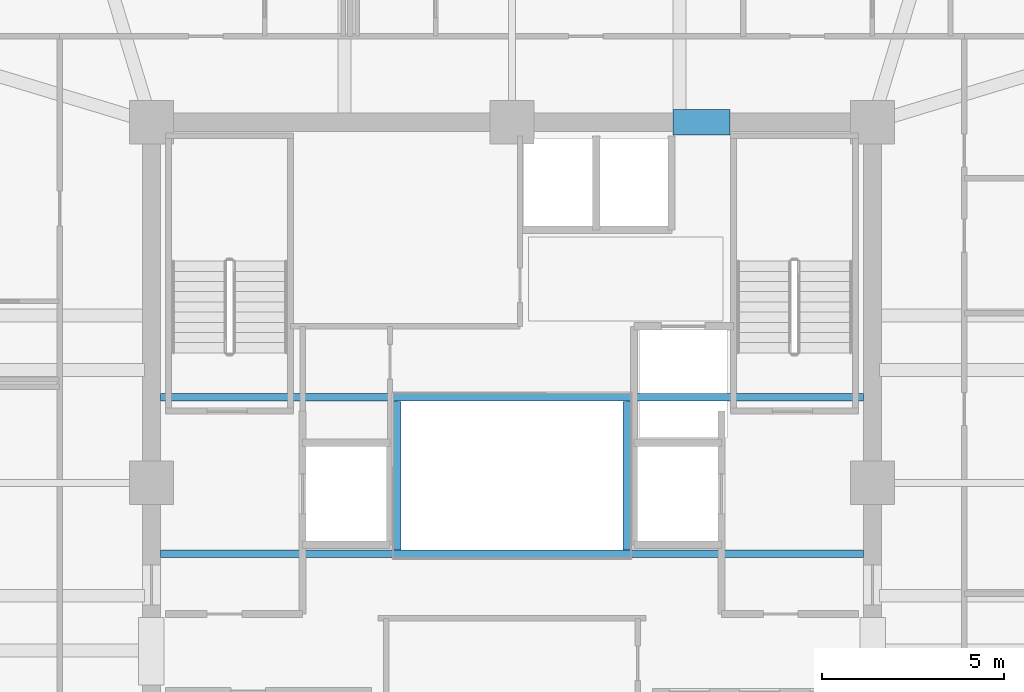
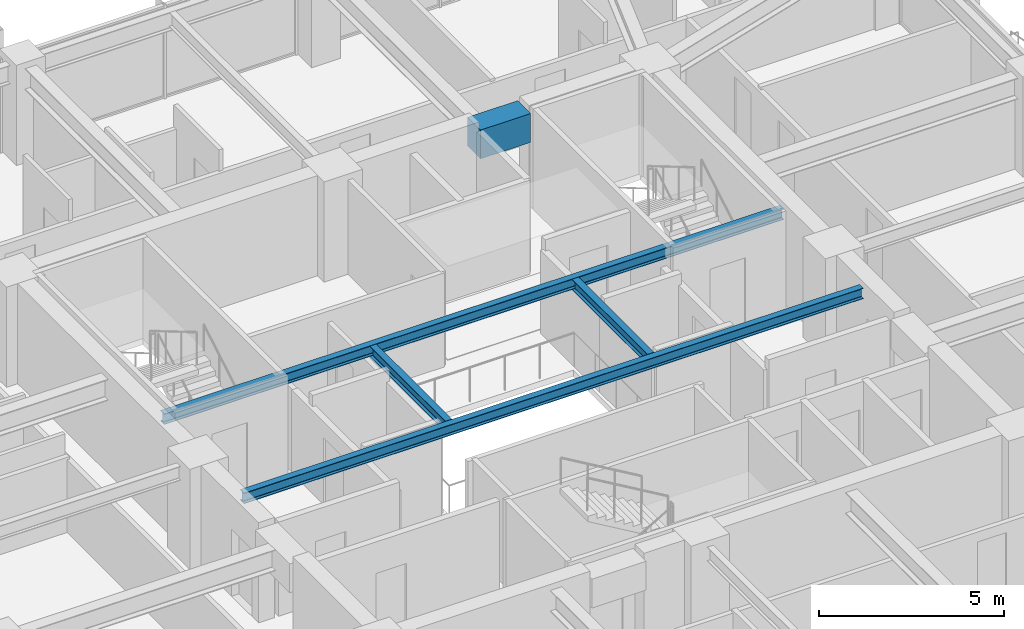
# One storey, part 13 of 35: 5 beams.
"""IFC4 building model written with IfcOpenShell, lengths in metres."""

import ifcopenshell
import ifcopenshell.guid

model = None  # the IFC model being written
_history = None  # IfcOwnerHistory: only IFC2X3 demands one
_inside = {}  # id of a spatial element -> (the spatial element, [elements in it])
_under = {}  # id of a project, library or spatial element -> (it, [spatial elements below it])
_declared = {}  # id of a project -> (the project, [libraries it declares])
_typed = {}  # id of a type object -> (the type object, [elements of that type])
_made_of = {}  # id of a material, layer set ... -> (it, [elements and type objects made of it])


def new_model(schema):
    """Start an empty IFC model of exactly this schema.

    Asked for "IFC4X3", IfcOpenShell would pick the latest addendum, in which some entities
    have other attributes; the version numbers below select the first issue.
    IFC2X3 requires an IfcOwnerHistory on every rooted entity: one is made here for all.
    """
    global model, _history
    if schema == "IFC4X3":
        model = ifcopenshell.file(schema_version=(4, 3, 0, 0))
    else:
        model = ifcopenshell.file(schema=schema)
    _inside.clear()
    _under.clear()
    _declared.clear()
    _typed.clear()
    _made_of.clear()
    _history = None
    if model.schema == "IFC2X3":
        org = make("IfcOrganization", Name="unknown")
        user = make(
            "IfcPersonAndOrganization",
            ThePerson=make("IfcPerson", FamilyName="unknown"),
            TheOrganization=org,
        )
        app = make(
            "IfcApplication",
            ApplicationDeveloper=org,
            Version="unknown",
            ApplicationFullName="unknown",
            ApplicationIdentifier="unknown",
        )
        _history = make(
            "IfcOwnerHistory",
            OwningUser=user,
            OwningApplication=app,
            ChangeAction="ADDED",
            CreationDate=0,
        )
    return model


def make(cls, **values):
    """One entity of the class cls with the attributes given. An attribute that is None is left unset."""
    return model.create_entity(
        cls, **{name: value for name, value in values.items() if value is not None}
    )


def rooted(cls, **values):
    """An entity with a GlobalId (a new one), such as an element, a storey or a relation."""
    return make(cls, GlobalId=ifcopenshell.guid.new(), OwnerHistory=_history, **values)


def si_unit(unit_type, name, prefix=None):
    """IfcSIUnit, for example si_unit("LENGTHUNIT", "METRE", prefix="MILLI")."""
    return make("IfcSIUnit", UnitType=unit_type, Prefix=prefix, Name=name)


def assignment(units):
    """IfcUnitAssignment: the units of a project."""
    return None if units is None else make("IfcUnitAssignment", Units=units)


def point(xyz):
    """IfcCartesianPoint."""
    return None if xyz is None else make("IfcCartesianPoint", Coordinates=xyz)


def direction(xyz):
    """IfcDirection."""
    return None if xyz is None else make("IfcDirection", DirectionRatios=xyz)


def frame(location, z_axis=None, x_axis=None):
    """IfcAxis2Placement3D, a coordinate frame: its origin and axes. An axis left out is left unset."""
    return make(
        "IfcAxis2Placement3D",
        Location=point(location),
        Axis=direction(z_axis),
        RefDirection=direction(x_axis),
    )


def frame_2d(location, x_axis=None):
    """IfcAxis2Placement2D, a coordinate frame in the plane: its origin and x axis."""
    return make(
        "IfcAxis2Placement2D", Location=point(location), RefDirection=direction(x_axis)
    )


def origin():
    """The frame at (0, 0, 0) with its axes left unset."""
    return frame((0.0, 0.0, 0.0))


def origin_2d():
    """The frame at (0, 0) in the plane with its x axis left unset."""
    return frame_2d((0.0, 0.0))


def place(relative_to, where):
    """IfcLocalPlacement: puts the frame where relative to a parent placement (None: the world)."""
    return make(
        "IfcLocalPlacement", PlacementRelTo=relative_to, RelativePlacement=where
    )


def context(
    kind, dimensions, precision=None, world=None, true_north=None, identifier=None
):
    """IfcGeometricRepresentationContext, for example the 3D "Model" context."""
    return make(
        "IfcGeometricRepresentationContext",
        ContextIdentifier=identifier,
        ContextType=kind,
        CoordinateSpaceDimension=dimensions,
        Precision=precision,
        WorldCoordinateSystem=world,
        TrueNorth=true_north,
    )


def subcontext(parent, identifier, kind, view, scale=None):
    """IfcGeometricRepresentationSubContext, for example "Body" below "Model"."""
    return make(
        "IfcGeometricRepresentationSubContext",
        ContextIdentifier=identifier,
        ContextType=kind,
        ParentContext=parent,
        TargetScale=scale,
        TargetView=view,
    )


def project(units=None, contexts=None):
    """IfcProject with its units and contexts."""
    return rooted(
        "IfcProject",
        Name="project",
        RepresentationContexts=contexts,
        UnitsInContext=assignment(units),
    )


def spatial(cls, under=None, at=None, **own):
    """A site, building, storey or space (cls), placed at a placement, below another one or the project."""
    s = rooted(cls, ObjectPlacement=at, **own)
    if under is not None:
        _under.setdefault(under.id(), (under, []))[1].append(s)
    return s


def profile(cls, at=None, kind="AREA", **sizes):
    """A parametric profile (cls). Its sizes go by their IFC names, for example OverallWidth=200.0."""
    return make(cls, ProfileType=kind, Position=at, **sizes)


def rectangle(**sizes):
    """IfcRectangleProfileDef."""
    return profile("IfcRectangleProfileDef", **sizes)


def i_section(**sizes):
    """IfcIShapeProfileDef."""
    return profile("IfcIShapeProfileDef", **sizes)


def extrude(swept, where, along, depth):
    """IfcExtrudedAreaSolid: the profile swept, set in the frame where, extruded along a direction by depth."""
    return make(
        "IfcExtrudedAreaSolid",
        SweptArea=swept,
        Position=where,
        ExtrudedDirection=direction(along),
        Depth=depth,
    )


def shape(context_of_items, identifier, shape_type, items):
    """IfcShapeRepresentation: the items that make up one representation, for example the "Body"."""
    return make(
        "IfcShapeRepresentation",
        ContextOfItems=context_of_items,
        RepresentationIdentifier=identifier,
        RepresentationType=shape_type,
        Items=items,
    )


def material(Name=None, Category=None):
    """IfcMaterial."""
    return make("IfcMaterial", Name=Name, Category=Category)


def material_profile(
    of_material, cross_section, Name=None, Category=None, Priority=None
):
    """IfcMaterialProfile: a cross section and its material."""
    return make(
        "IfcMaterialProfile",
        Name=Name,
        Material=of_material,
        Profile=cross_section,
        Priority=Priority,
        Category=Category,
    )


def profile_set(profiles, Name=None, composite=None):
    """IfcMaterialProfileSet."""
    return make(
        "IfcMaterialProfileSet",
        Name=Name,
        MaterialProfiles=profiles,
        CompositeProfile=composite,
    )


def made_of(thing, what):
    """Note that an element or type object is made of a material, layer set ...; save() writes the relation."""
    if what is not None:
        _made_of.setdefault(what.id(), (what, []))[1].append(thing)
    return thing


def type_object(cls, material=None, **own):
    """A type object (cls), such as IfcWallType, which elements share."""
    return made_of(rooted(cls, **own), material)


def element(
    cls,
    number,
    at=None,
    inside=None,
    cuts=None,
    type_object=None,
    material=None,
    context=None,
    identifier="Body",
    shape_type=None,
    held_by="IfcProductDefinitionShape",
    body=None,
    shapes=None,
    **own,
):
    """One element of the class cls, such as IfcWall. Its Tag is "e" and its number.

    at: its placement. inside: the storey or other place that contains it. cuts: it is an
    opening in that element (IfcRelVoidsElement). A single representation is given by context,
    identifier, shape_type and body (its items); several are given by shapes. held_by: the class
    of the entity that holds the representations. save() writes the other relations.
    """
    e = rooted(cls, Tag="e%d" % number, ObjectPlacement=at, **own)
    if body is not None:
        shapes = [shape(context, identifier, shape_type, body)]
    if shapes is not None:
        e.Representation = make(held_by, Representations=shapes)
    if inside is not None:
        _inside.setdefault(inside.id(), (inside, []))[1].append(e)
    if cuts is not None:
        rooted(
            "IfcRelVoidsElement", RelatingBuildingElement=cuts, RelatedOpeningElement=e
        )
    if type_object is not None:
        _typed.setdefault(type_object.id(), (type_object, []))[1].append(e)
    return made_of(e, material)


def aggregate(whole, parts):
    """IfcRelAggregates: a whole, such as a stair, and the parts it consists of."""
    return rooted("IfcRelAggregates", RelatingObject=whole, RelatedObjects=parts)


def save(model, path):
    """Write the relations noted so far, then the file.

    IfcRelAggregates (storeys below a building ...), IfcRelContainedInSpatialStructure (elements
    in a storey), IfcRelDefinesByType, IfcRelAssociatesMaterial and IfcRelDeclares: one each for
    every whole, place, type object, material and project.
    """
    for whole, parts in _under.values():
        aggregate(whole, parts)
    for where, things in _inside.values():
        rooted(
            "IfcRelContainedInSpatialStructure",
            RelatedElements=things,
            RelatingStructure=where,
        )
    for kind, things in _typed.values():
        rooted("IfcRelDefinesByType", RelatedObjects=things, RelatingType=kind)
    for what, things in _made_of.values():
        rooted("IfcRelAssociatesMaterial", RelatedObjects=things, RelatingMaterial=what)
    for by, libraries in _declared.values():
        rooted("IfcRelDeclares", RelatingContext=by, RelatedDefinitions=libraries)
    model.write(path)


model = new_model("IFC4")

# Units and contexts
model_context = context("Model", 3, precision=1e-05, world=origin(), true_north=direction((0.0, 1.0)))
body_context = subcontext(model_context, "Body", "Model", "MODEL_VIEW")
ifc_project = project(units=[si_unit("LENGTHUNIT", "METRE"), si_unit("AREAUNIT", "SQUARE_METRE"), si_unit("VOLUMEUNIT", "CUBIC_METRE"), si_unit("PLANEANGLEUNIT", "RADIAN"), si_unit("MASSUNIT", "GRAM", prefix="KILO")], contexts=[model_context])

# Site, building, storey
site_placement = place(None, origin())
site = spatial("IfcSite", under=ifc_project, at=site_placement, CompositionType="ELEMENT")
building_placement = place(site_placement, origin())
building = spatial("IfcBuilding", under=site, at=building_placement, Name="Kolvaren Belvedere", CompositionType="ELEMENT")
storey_placement = place(building_placement, frame((0.0, 0.0, 163.5)))
storey = spatial("IfcBuildingStorey", under=building, at=storey_placement, Name="L47", CompositionType="ELEMENT", Elevation=163.5)

# Beams
ifc_material_1 = material(Name="Structural steel ASTM A992 Grade 50", Category="steel")
ifc_material_profile_1 = material_profile(ifc_material_1, i_section(OverallWidth=0.2041015625, OverallDepth=0.35009765625, WebThickness=0.008544921875, FlangeThickness=0.01513671875, FilletRadius=0.013916015625, at=origin_2d()), Name="W14X48")
ifc_profile_set_1 = profile_set([ifc_material_profile_1], Name="Structural steel ASTM A992 Grade 50")
beam_type_1 = type_object("IfcBeamType", Name="BM-ATRIUM-W14X48", PredefinedType="BEAM", material=ifc_profile_set_1)
for number, where, z_axis, x_axis, name in (
    (1, (-9.64990234375, -1.949951171875, 2.925048828125), (1.0, 0.0, 0.0), (0.0, 1.0, 0.0), "L47 Central Atrium South Girder AS"),
    (2, (-9.64990234375, 2.35009765625, 2.925048828125), (1.0, 0.0, 0.0), (0.0, 1.0, 0.0), "L47 Central Atrium North Girder AN"),
):
    element("IfcBeam", number, at=place(storey_placement, frame(where, z_axis=z_axis, x_axis=x_axis)), inside=storey, type_object=beam_type_1, Name=name, PredefinedType="BEAM", context=body_context, shape_type="SweptSolid", body=[
        extrude(i_section(OverallWidth=0.2041015625, OverallDepth=0.35009765625, WebThickness=0.008544921875, FlangeThickness=0.01513671875, FilletRadius=0.013916015625, at=origin_2d()), origin(), (0.0, 0.0, 1.0), 19.2998046875),
    ])
for number, where, z_axis, x_axis, name in (
    (3, (-3.14990234375, -1.840087890625, 2.925048828125), (0.0, 1.0, 0.0), (-1.0, 0.0, 0.0), "L47 Central Atrium West Edge Beam AW"),
    (4, (3.14990234375, -1.840087890625, 2.925048828125), (0.0, 1.0, 0.0), (-1.0, 0.0, 0.0), "L47 Central Atrium East Edge Beam AE"),
):
    element("IfcBeam", number, at=place(storey_placement, frame(where, z_axis=z_axis, x_axis=x_axis)), inside=storey, type_object=beam_type_1, Name=name, PredefinedType="BEAM", context=body_context, shape_type="SweptSolid", body=[
        extrude(i_section(OverallWidth=0.2041015625, OverallDepth=0.35009765625, WebThickness=0.008544921875, FlangeThickness=0.01513671875, FilletRadius=0.013916015625, at=origin_2d()), origin(), (0.0, 0.0, 1.0), 4.080078125),
    ])
ifc_material_2 = material(Name="Concrete C60/75", Category="concrete")
ifc_material_profile_2 = material_profile(ifc_material_2, rectangle(XDim=0.699951171875, YDim=0.949951171875, at=origin_2d()), Name="RC 700X950")
ifc_profile_set_2 = profile_set([ifc_material_profile_2], Name="Concrete C60/75")
beam_type_2 = type_object("IfcBeamType", Name="BM-LINT-950", PredefinedType="LINTEL", material=ifc_profile_set_2)
beam_placement = place(storey_placement, frame((4.419921875, 9.89990234375, 2.625), z_axis=(1.0, 0.0, 0.0), x_axis=(0.0, 1.0, 0.0)))
element("IfcBeam", 5, at=beam_placement, inside=storey, type_object=beam_type_2, Name="L47 North Core Coupling Lintel", PredefinedType="LINTEL", context=body_context, shape_type="SweptSolid", body=[
    extrude(rectangle(XDim=0.699951171875, YDim=0.949951171875, at=origin_2d()), origin(), (0.0, 0.0, 1.0), 1.56005859375),
])

save(model, "model.ifc")
